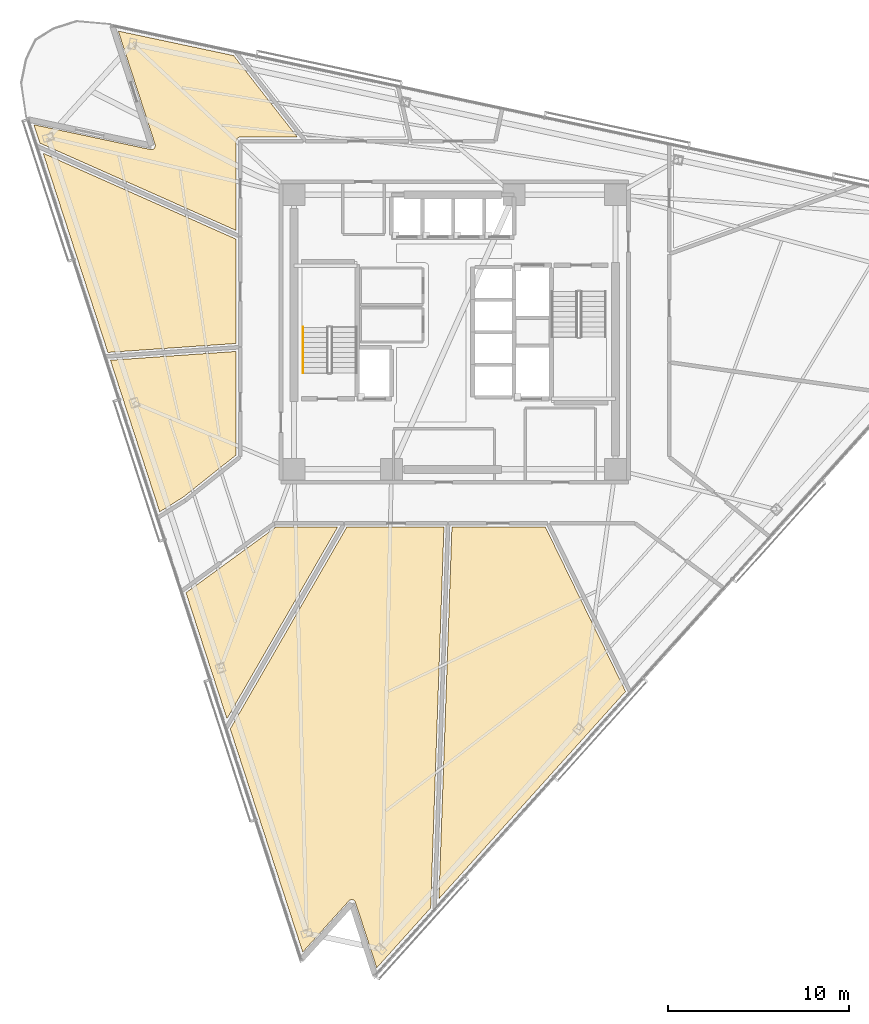
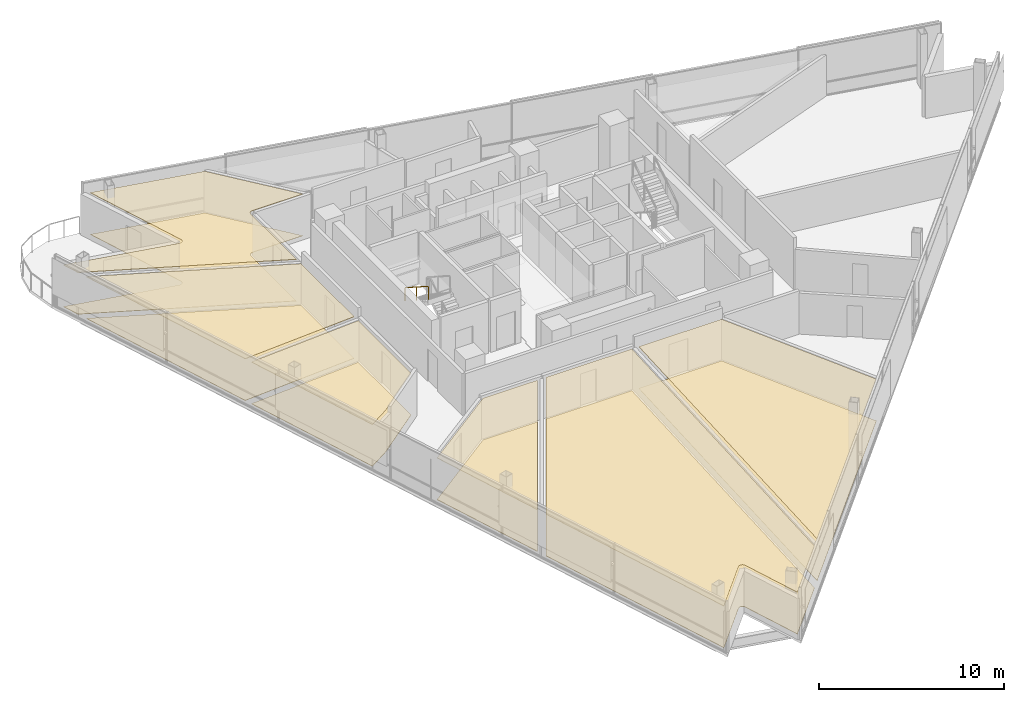
# One storey, part 15 of 17: 12 coverings, 1 railing.
"""IFC4 building model written with IfcOpenShell, lengths in metres."""

from ifc_helpers import new_model, si_unit, direction, frame, origin, origin_2d, place, context, subcontext, project, spatial, polyline, rectangle, outline, extrude, material, layer, layer_set, type_object, element, save


model = new_model("IFC4")

# Units and contexts
model_context = context("Model", 3, precision=1e-05, world=origin(), true_north=direction((0.0, 1.0)))
body_context = subcontext(model_context, "Body", "Model", "MODEL_VIEW")
ifc_project = project(units=[si_unit("LENGTHUNIT", "METRE"), si_unit("AREAUNIT", "SQUARE_METRE"), si_unit("VOLUMEUNIT", "CUBIC_METRE"), si_unit("PLANEANGLEUNIT", "RADIAN"), si_unit("MASSUNIT", "GRAM", prefix="KILO")], contexts=[model_context])

# Site, building, storey
site_placement = place(None, origin())
site = spatial("IfcSite", under=ifc_project, at=site_placement, CompositionType="ELEMENT")
building_placement = place(site_placement, origin())
building = spatial("IfcBuilding", under=site, at=building_placement, Name="Tharavind Bronze Gate", CompositionType="ELEMENT")
storey_placement = place(building_placement, frame((0.0, 0.0, 214.85009765625)))
storey = spatial("IfcBuildingStorey", under=building, at=storey_placement, Name="L55", CompositionType="ELEMENT", Elevation=214.85009765625)

# Coverings
ifc_material_1 = material(Name="Perforated Bronze Acoustic Panel", Category="bronze")
ifc_layer_1 = layer(ifc_material_1, 0.044921875)
ifc_layer_set_1 = layer_set([ifc_layer_1], Name="Perforated Bronze Acoustic Panel")
covering_type_1 = type_object("IfcCoveringType", Name="ACOUSTIC BRONZE BAFFLE CEILING", PredefinedType="CEILING", material=ifc_layer_set_1)
covering_1_placement = place(storey_placement, frame((0.0, 0.0, 2.75)))
element("IfcCovering", 1, at=covering_1_placement, inside=storey, type_object=covering_type_1, Name="L55-RM-09 suspended ceiling", PredefinedType="CEILING", context=body_context, shape_type="SweptSolid", body=[
    extrude(outline(polyline([(9.458740234375, -19.8955078125), (5.022705078125, -10.800048828125), (-0.156982421875, -10.800048828125), (-0.87548828125, -31.372802734375), (9.458740234375, -19.8955078125)])), origin(), (0.0, 0.0, 1.0), 0.034912109375),
])
ifc_material_2 = material(Name="Engineered Oak & Carpet Tile", Category="wood")
ifc_layer_2 = layer(ifc_material_2, 0.02490234375)
ifc_layer_set_2 = layer_set([ifc_layer_2], Name="Engineered Oak & Carpet Tile")
covering_type_2 = type_object("IfcCoveringType", Name="ENGINEERED TIMBER FLOORING", PredefinedType="FLOORING", material=ifc_layer_set_2)
covering_2_placement = place(storey_placement, origin())
element("IfcCovering", 2, at=covering_2_placement, inside=storey, type_object=covering_type_2, Name="L55-RM-04 floor finish", PredefinedType="FLOORING", context=body_context, shape_type="SweptSolid", body=[
    extrude(outline(polyline([(-22.97265625, 10.468994140625), (-12.10009765625, 5.628173828125), (-12.10009765625, 10.579345703125), (-12.099609375, 10.590087890625), (-12.099609375, 10.5908203125), (-12.09765625, 10.6123046875), (-12.093505859375, 10.63330078125), (-12.087158203125, 10.654052734375), (-12.078857421875, 10.674072265625), (-12.068603515625, 10.693115234375), (-12.056640625, 10.7109375), (-12.04296875, 10.727783203125), (-12.027587890625, 10.742919921875), (-12.010986328125, 10.756591796875), (-11.9931640625, 10.768798828125), (-11.97412109375, 10.77880859375), (-11.9541015625, 10.787109375), (-11.933349609375, 10.79345703125), (-11.912353515625, 10.797607421875), (-11.890869140625, 10.7998046875), (-11.89013671875, 10.7998046875), (-11.87939453125, 10.800048828125), (-8.717041015625, 10.800048828125), (-12.244873046875, 15.3154296875), (-18.6328125, 16.673095703125), (-16.59375, 10.39794921875), (-16.590576171875, 10.387451171875), (-16.59033203125, 10.38671875), (-16.585693359375, 10.365478515625), (-16.583251953125, 10.343505859375), (-16.5830078125, 10.32177734375), (-16.584716796875, 10.2998046875), (-16.5888671875, 10.2783203125), (-16.594970703125, 10.257080078125), (-16.60302734375, 10.23681640625), (-16.61328125, 10.21728515625), (-16.62548828125, 10.19921875), (-16.63916015625, 10.18212890625), (-16.65478515625, 10.16650390625), (-16.671630859375, 10.152587890625), (-16.68994140625, 10.140380859375), (-16.709228515625, 10.130126953125), (-16.7294921875, 10.121826171875), (-16.75048828125, 10.115478515625), (-16.772216796875, 10.111572265625), (-16.7939453125, 10.109619140625), (-16.81591796875, 10.109619140625), (-16.837646484375, 10.112060546875), (-16.83837890625, 10.1123046875), (-16.84912109375, 10.1142578125), (-23.30322265625, 11.486083984375), (-22.97265625, 10.468994140625)])), origin(), (0.0, 0.0, 1.0), 0.02490234375),
])
covering_3_placement = place(storey_placement, origin())
element("IfcCovering", 3, at=covering_3_placement, inside=storey, type_object=covering_type_2, Name="L55-RM-05 floor finish", PredefinedType="FLOORING", context=body_context, shape_type="SweptSolid", body=[
    extrude(outline(polyline([(-19.206298828125, -1.12255859375), (-12.10009765625, -0.62548828125), (-12.10009765625, 5.146484375), (-22.789794921875, 9.90576171875), (-19.206298828125, -1.12255859375)])), origin(), (0.0, 0.0, 1.0), 0.02490234375),
])
covering_4_placement = place(storey_placement, origin())
element("IfcCovering", 4, at=covering_4_placement, inside=storey, type_object=covering_type_2, Name="L55-RM-06 floor finish", PredefinedType="FLOORING", context=body_context, shape_type="SweptSolid", body=[
    extrude(outline(polyline([(-16.33837890625, -9.949951171875), (-15.04541015625, -9.141845703125), (-12.10009765625, -6.79736328125), (-12.10009765625, -1.066650390625), (-19.06640625, -1.5537109375), (-16.33837890625, -9.949951171875)])), origin(), (0.0, 0.0, 1.0), 0.02490234375),
])
covering_5_placement = place(storey_placement, origin())
element("IfcCovering", 5, at=covering_5_placement, inside=storey, type_object=covering_type_2, Name="L55-RM-07 floor finish", PredefinedType="FLOORING", context=body_context, shape_type="SweptSolid", body=[
    extrude(outline(polyline([(-12.61474609375, -21.409423828125), (-6.489501953125, -10.800048828125), (-9.906494140625, -10.800048828125), (-14.88232421875, -14.430419921875), (-12.61474609375, -21.409423828125)])), origin(), (0.0, 0.0, 1.0), 0.02490234375),
])
covering_6_placement = place(storey_placement, origin())
element("IfcCovering", 6, at=covering_6_placement, inside=storey, type_object=covering_type_2, Name="L55-RM-08 floor finish", PredefinedType="FLOORING", context=body_context, shape_type="SweptSolid", body=[
    extrude(outline(polyline([(-8.417236328125, -34.328369140625), (-5.870361328125, -31.499755859375), (-5.86279296875, -31.49169921875), (-5.8623046875, -31.4912109375), (-5.84619140625, -31.4765625), (-5.82861328125, -31.46337890625), (-5.809814453125, -31.4521484375), (-5.789794921875, -31.44287109375), (-5.769287109375, -31.435546875), (-5.747802734375, -31.430419921875), (-5.72607421875, -31.42724609375), (-5.7041015625, -31.426513671875), (-5.682373046875, -31.427734375), (-5.66064453125, -31.431396484375), (-5.639404296875, -31.43701171875), (-5.618896484375, -31.444580078125), (-5.599365234375, -31.454345703125), (-5.580810546875, -31.4658203125), (-5.563232421875, -31.479248046875), (-5.54736328125, -31.494384765625), (-5.532958984375, -31.510986328125), (-5.5205078125, -31.52880859375), (-5.509521484375, -31.548095703125), (-5.500732421875, -31.568115234375), (-5.50048828125, -31.568603515625), (-5.4970703125, -31.5791015625), (-4.32080078125, -35.19921875), (-1.33349609375, -31.88134765625), (-0.597412109375, -10.800048828125), (-5.981201171875, -10.800048828125), (-12.431884765625, -21.97265625), (-8.417236328125, -34.328369140625)])), origin(), (0.0, 0.0, 1.0), 0.02490234375),
])
covering_7_placement = place(storey_placement, origin())
element("IfcCovering", 7, at=covering_7_placement, inside=storey, type_object=covering_type_2, Name="L55-RM-09 floor finish", PredefinedType="FLOORING", context=body_context, shape_type="SweptSolid", body=[
    extrude(outline(polyline([(9.458740234375, -19.8955078125), (5.022705078125, -10.800048828125), (-0.156982421875, -10.800048828125), (-0.87548828125, -31.372802734375), (9.458740234375, -19.8955078125)])), origin(), (0.0, 0.0, 1.0), 0.02490234375),
])
ifc_material_3 = material(Name="Acoustic Gypsum Board", Category="gypsum")
ifc_layer_3 = layer(ifc_material_3, 0.030029296875)
ifc_layer_set_3 = layer_set([ifc_layer_3], Name="Acoustic Gypsum Board")
covering_type_3 = type_object("IfcCoveringType", Name="GYPSUM SUSPENDED CEILING", PredefinedType="CEILING", material=ifc_layer_set_3)
covering_8_placement = place(storey_placement, frame((0.0, 0.0, 2.75)))
element("IfcCovering", 8, at=covering_8_placement, inside=storey, type_object=covering_type_3, Name="L55-RM-04 suspended ceiling", PredefinedType="CEILING", context=body_context, shape_type="SweptSolid", body=[
    extrude(outline(polyline([(-22.97265625, 10.468994140625), (-12.10009765625, 5.628173828125), (-12.10009765625, 10.579345703125), (-12.099609375, 10.590087890625), (-12.099609375, 10.5908203125), (-12.09765625, 10.6123046875), (-12.093505859375, 10.63330078125), (-12.087158203125, 10.654052734375), (-12.078857421875, 10.674072265625), (-12.068603515625, 10.693115234375), (-12.056640625, 10.7109375), (-12.04296875, 10.727783203125), (-12.027587890625, 10.742919921875), (-12.010986328125, 10.756591796875), (-11.9931640625, 10.768798828125), (-11.97412109375, 10.77880859375), (-11.9541015625, 10.787109375), (-11.933349609375, 10.79345703125), (-11.912353515625, 10.797607421875), (-11.890869140625, 10.7998046875), (-11.89013671875, 10.7998046875), (-11.87939453125, 10.800048828125), (-8.717041015625, 10.800048828125), (-12.244873046875, 15.3154296875), (-18.6328125, 16.673095703125), (-16.59375, 10.39794921875), (-16.590576171875, 10.387451171875), (-16.59033203125, 10.38671875), (-16.585693359375, 10.365478515625), (-16.583251953125, 10.343505859375), (-16.5830078125, 10.32177734375), (-16.584716796875, 10.2998046875), (-16.5888671875, 10.2783203125), (-16.594970703125, 10.257080078125), (-16.60302734375, 10.23681640625), (-16.61328125, 10.21728515625), (-16.62548828125, 10.19921875), (-16.63916015625, 10.18212890625), (-16.65478515625, 10.16650390625), (-16.671630859375, 10.152587890625), (-16.68994140625, 10.140380859375), (-16.709228515625, 10.130126953125), (-16.7294921875, 10.121826171875), (-16.75048828125, 10.115478515625), (-16.772216796875, 10.111572265625), (-16.7939453125, 10.109619140625), (-16.81591796875, 10.109619140625), (-16.837646484375, 10.112060546875), (-16.83837890625, 10.1123046875), (-16.84912109375, 10.1142578125), (-23.30322265625, 11.486083984375), (-22.97265625, 10.468994140625)])), origin(), (0.0, 0.0, 1.0), 0.034912109375),
])
covering_9_placement = place(storey_placement, frame((0.0, 0.0, 2.75)))
element("IfcCovering", 9, at=covering_9_placement, inside=storey, type_object=covering_type_3, Name="L55-RM-05 suspended ceiling", PredefinedType="CEILING", context=body_context, shape_type="SweptSolid", body=[
    extrude(outline(polyline([(-19.206298828125, -1.12255859375), (-12.10009765625, -0.62548828125), (-12.10009765625, 5.146484375), (-22.789794921875, 9.90576171875), (-19.206298828125, -1.12255859375)])), origin(), (0.0, 0.0, 1.0), 0.034912109375),
])
covering_10_placement = place(storey_placement, frame((0.0, 0.0, 2.75)))
element("IfcCovering", 10, at=covering_10_placement, inside=storey, type_object=covering_type_3, Name="L55-RM-06 suspended ceiling", PredefinedType="CEILING", context=body_context, shape_type="SweptSolid", body=[
    extrude(outline(polyline([(-16.33837890625, -9.949951171875), (-15.04541015625, -9.141845703125), (-12.10009765625, -6.79736328125), (-12.10009765625, -1.066650390625), (-19.06640625, -1.5537109375), (-16.33837890625, -9.949951171875)])), origin(), (0.0, 0.0, 1.0), 0.034912109375),
])
covering_11_placement = place(storey_placement, frame((0.0, 0.0, 2.75)))
element("IfcCovering", 11, at=covering_11_placement, inside=storey, type_object=covering_type_3, Name="L55-RM-07 suspended ceiling", PredefinedType="CEILING", context=body_context, shape_type="SweptSolid", body=[
    extrude(outline(polyline([(-12.61474609375, -21.409423828125), (-6.489501953125, -10.800048828125), (-9.906494140625, -10.800048828125), (-14.88232421875, -14.430419921875), (-12.61474609375, -21.409423828125)])), origin(), (0.0, 0.0, 1.0), 0.034912109375),
])
covering_12_placement = place(storey_placement, frame((0.0, 0.0, 2.75)))
element("IfcCovering", 12, at=covering_12_placement, inside=storey, type_object=covering_type_3, Name="L55-RM-08 suspended ceiling", PredefinedType="CEILING", context=body_context, shape_type="SweptSolid", body=[
    extrude(outline(polyline([(-8.417236328125, -34.328369140625), (-5.870361328125, -31.499755859375), (-5.86279296875, -31.49169921875), (-5.8623046875, -31.4912109375), (-5.84619140625, -31.4765625), (-5.82861328125, -31.46337890625), (-5.809814453125, -31.4521484375), (-5.789794921875, -31.44287109375), (-5.769287109375, -31.435546875), (-5.747802734375, -31.430419921875), (-5.72607421875, -31.42724609375), (-5.7041015625, -31.426513671875), (-5.682373046875, -31.427734375), (-5.66064453125, -31.431396484375), (-5.639404296875, -31.43701171875), (-5.618896484375, -31.444580078125), (-5.599365234375, -31.454345703125), (-5.580810546875, -31.4658203125), (-5.563232421875, -31.479248046875), (-5.54736328125, -31.494384765625), (-5.532958984375, -31.510986328125), (-5.5205078125, -31.52880859375), (-5.509521484375, -31.548095703125), (-5.500732421875, -31.568115234375), (-5.50048828125, -31.568603515625), (-5.4970703125, -31.5791015625), (-4.32080078125, -35.19921875), (-1.33349609375, -31.88134765625), (-0.597412109375, -10.800048828125), (-5.981201171875, -10.800048828125), (-12.431884765625, -21.97265625), (-8.417236328125, -34.328369140625)])), origin(), (0.0, 0.0, 1.0), 0.034912109375),
])

# Railing
ifc_material_4 = material(Name="Brushed Bronze Alloy", Category="metal")
railing_type = type_object("IfcRailingType", Name="STAIR BRONZE HANDRAIL 900", PredefinedType="HANDRAIL", material=ifc_material_4)
railing_placement = place(storey_placement, frame((-8.39990234375, 0.27001953125, 1.97998046875)))
element("IfcRailing", 13, at=railing_placement, inside=storey, type_object=railing_type, Name="L55 ST1 stair handrail 2", PredefinedType="HANDRAIL", context=body_context, shape_type="SweptSolid", body=[
    extrude(rectangle(XDim=0.048095703125, YDim=0.048095703125, at=origin_2d()), frame((0.0, -0.02685546875, 0.89306640625), z_axis=(0.0, -0.841199657755, 0.540724639528), x_axis=(1.0, 0.0, 0.0)), (0.0, 0.0, 1.0), 2.931640625),
    extrude(rectangle(XDim=0.0400390625, YDim=0.0400390625, at=origin_2d()), origin(), (0.0, 0.0, 1.0), 0.847900390625),
    extrude(rectangle(XDim=0.0400390625, YDim=0.0400390625, at=origin_2d()), frame((0.0, -1.260009765625, 0.81005859375)), (0.0, 0.0, 1.0), 0.847900390625),
    extrude(rectangle(XDim=0.0400390625, YDim=0.0400390625, at=origin_2d()), frame((0.0, -2.52001953125, 1.619873046875)), (0.0, 0.0, 1.0), 0.847900390625),
])

save(model, "model.ifc")
